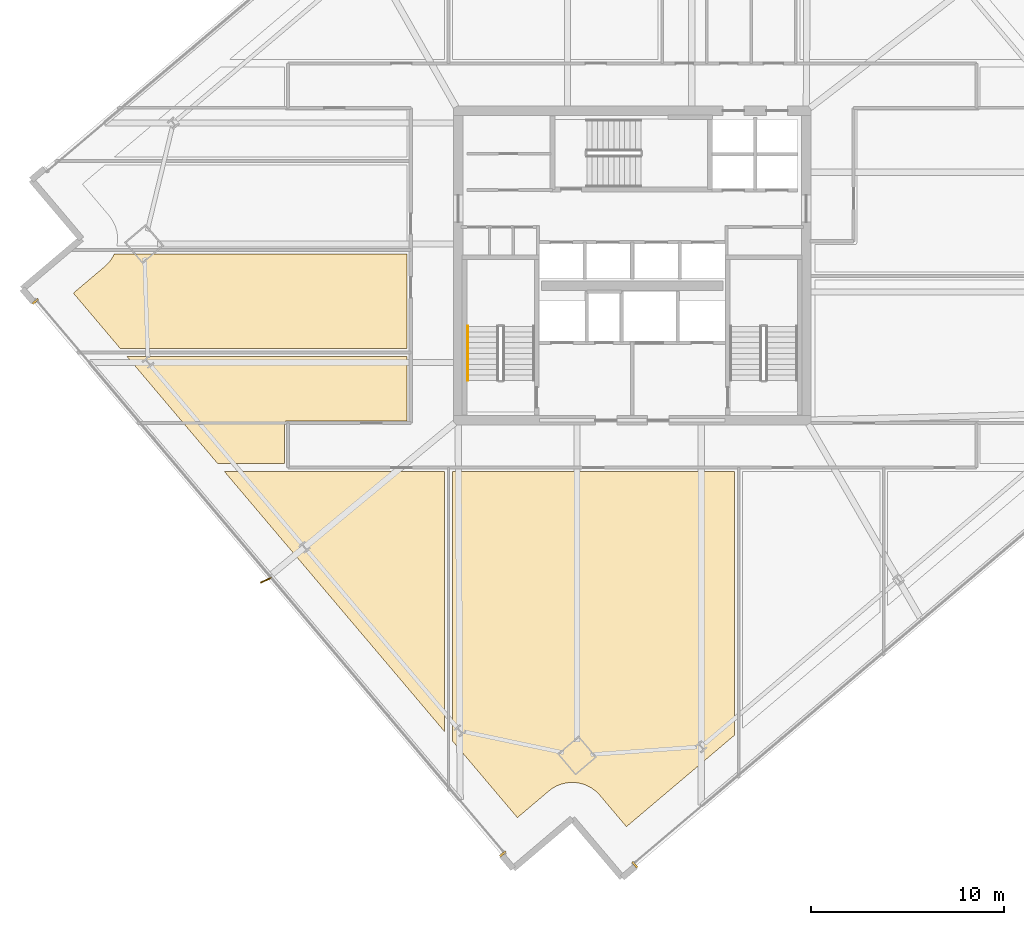
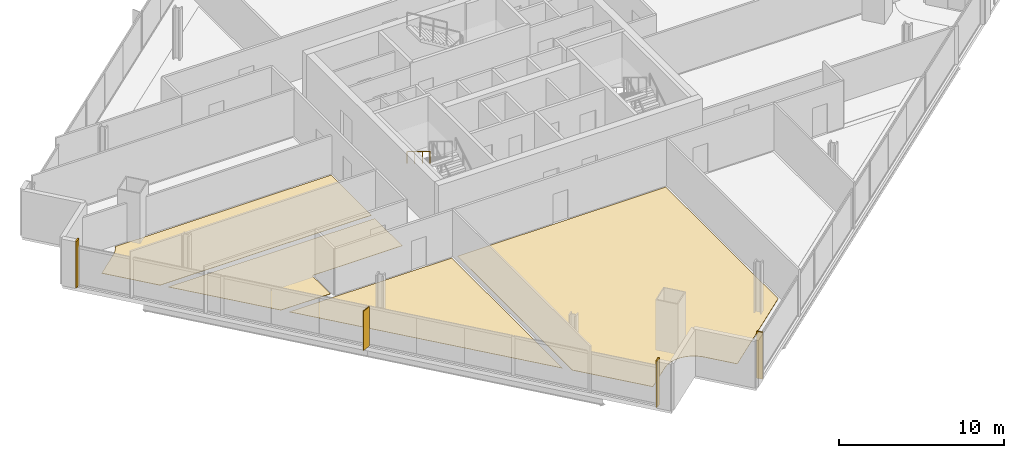
# One storey, part 30 of 34: 7 coverings, 1 railing, 1 shading device.
"""IFC4 building model written with IfcOpenShell, lengths in metres."""

from ifc_helpers import new_model, si_unit, direction, frame, origin, origin_2d, place, context, subcontext, project, spatial, polyline, rectangle, outline, extrude, source, transform, mapped, material, layer, layer_set, type_object, element, save


model = new_model("IFC4")

# Units and contexts
model_context = context("Model", 3, precision=1e-05, world=origin(), true_north=direction((0.0, 1.0)))
body_context = subcontext(model_context, "Body", "Model", "MODEL_VIEW")
ifc_project = project(units=[si_unit("LENGTHUNIT", "METRE"), si_unit("AREAUNIT", "SQUARE_METRE"), si_unit("VOLUMEUNIT", "CUBIC_METRE"), si_unit("PLANEANGLEUNIT", "RADIAN"), si_unit("MASSUNIT", "GRAM", prefix="KILO")], contexts=[model_context])

# Site, building, storey
site_placement = place(None, origin())
site = spatial("IfcSite", under=ifc_project, at=site_placement, CompositionType="ELEMENT")
building_placement = place(site_placement, origin())
building = spatial("IfcBuilding", under=site, at=building_placement, Name="Haldenkirk Collegiate Tower", CompositionType="ELEMENT")
storey_placement = place(building_placement, frame((0.0, 0.0, 163.199951171875)))
storey = spatial("IfcBuildingStorey", under=building, at=storey_placement, Name="L40", CompositionType="ELEMENT", Elevation=163.199951171875)

# Coverings
ifc_material_1 = material(Name="Polished collegiate terrazzo", Category="concrete")
ifc_layer_1 = layer(ifc_material_1, 0.02490234375)
ifc_layer_set_1 = layer_set([ifc_layer_1], Name="Polished collegiate terrazzo")
covering_type_1 = type_object("IfcCoveringType", Name="COV-FLOOR-TERRAZZO", PredefinedType="FLOORING", material=ifc_layer_set_1)
covering_1_placement = place(storey_placement, origin())
element("IfcCovering", 1, at=covering_1_placement, inside=storey, type_object=covering_type_1, Name="L40 academic room finish 02", PredefinedType="FLOORING", context=body_context, shape_type="SweptSolid", body=[
    extrude(outline(polyline([(33.75732421875, -0.943115234375), (33.746826171875, -0.937744140625), (33.590576171875, -0.86669921875), (33.57958984375, -0.8623046875), (33.4169921875, -0.806884765625), (33.40576171875, -0.8037109375), (33.238525390625, -0.7646484375), (33.226806640625, -0.762451171875), (33.056640625, -0.73974609375), (33.044921875, -0.739013671875), (32.873291015625, -0.733154296875), (32.861572265625, -0.7333984375), (32.690185546875, -0.744384765625), (32.678466796875, -0.74560546875), (32.509033203125, -0.7734375), (32.497314453125, -0.77587890625), (32.33154296875, -0.8203125), (32.3203125, -0.82373046875), (32.15966796875, -0.884033203125), (32.148681640625, -0.888671875), (31.99462890625, -0.964599609375), (31.984375, -0.97021484375), (31.83837890625, -1.060791015625), (31.82861328125, -1.0673828125), (31.6923828125, -1.171875), (31.687744140625, -1.175537109375), (30.06201171875, -2.5517578125), (26.699951171875, 1.419677734375), (26.699951171875, 15.35009765625), (41.300048828125, 15.35009765625), (41.300048828125, 1.720947265625), (35.699462890625, -3.020263671875), (34.3232421875, -1.39453125), (34.3193359375, -1.39013671875), (34.2021484375, -1.2646484375), (34.193603515625, -1.256591796875), (34.064697265625, -1.14306640625), (34.055419921875, -1.1357421875), (33.916015625, -1.035400390625), (33.906005859375, -1.029052734375), (33.75732421875, -0.943115234375)])), origin(), (0.0, 0.0, 1.0), 0.025146484375),
])
covering_2_placement = place(storey_placement, origin())
element("IfcCovering", 2, at=covering_2_placement, inside=storey, type_object=covering_type_1, Name="L40 academic room finish 08", PredefinedType="FLOORING", context=body_context, shape_type="SweptSolid", body=[
    extrude(outline(polyline([(8.727783203125, 25.94580078125), (8.732177734375, 25.94970703125), (8.857666015625, 26.067138671875), (8.86572265625, 26.07568359375), (8.979248046875, 26.20458984375), (8.986572265625, 26.2138671875), (9.0869140625, 26.353271484375), (9.09326171875, 26.36328125), (9.17919921875, 26.51171875), (9.1845703125, 26.522216796875), (9.219970703125, 26.60009765625), (24.35009765625, 26.60009765625), (24.35009765625, 21.699951171875), (9.531494140625, 21.699951171875), (7.10205078125, 24.569580078125), (8.727783203125, 25.94580078125)])), origin(), (0.0, 0.0, 1.0), 0.025146484375),
])
ifc_material_2 = material(Name="Engineered collegiate oak acoustic flooring", Category="wood")
ifc_layer_2 = layer(ifc_material_2, 0.02197265625)
ifc_layer_set_2 = layer_set([ifc_layer_2], Name="Engineered collegiate oak acoustic flooring")
covering_type_2 = type_object("IfcCoveringType", Name="COV-FLOOR-TIMBER", PredefinedType="FLOORING", material=ifc_layer_set_2)
covering_3_placement = place(storey_placement, origin())
element("IfcCovering", 3, at=covering_3_placement, inside=storey, type_object=covering_type_2, Name="L40 academic room finish 01", PredefinedType="FLOORING", context=body_context, shape_type="SweptSolid", body=[
    extrude(outline(polyline([(14.906982421875, 15.35009765625), (26.300048828125, 15.35009765625), (26.300048828125, 1.89208984375), (14.906982421875, 15.35009765625)])), origin(), (0.0, 0.0, 1.0), 0.02197265625),
])
covering_4_placement = place(storey_placement, origin())
element("IfcCovering", 4, at=covering_4_placement, inside=storey, type_object=covering_type_2, Name="L40 academic room finish 07", PredefinedType="FLOORING", context=body_context, shape_type="SweptSolid", body=[
    extrude(outline(polyline([(18.14990234375, 17.969970703125), (18.13818359375, 17.969482421875), (18.126708984375, 17.9677734375), (18.115234375, 17.96484375), (18.10400390625, 17.9609375), (18.093505859375, 17.955810546875), (18.083251953125, 17.94970703125), (18.073974609375, 17.94287109375), (18.065185546875, 17.934814453125), (18.05712890625, 17.926025390625), (18.05029296875, 17.916748046875), (18.044189453125, 17.906494140625), (18.0390625, 17.89599609375), (18.03515625, 17.884765625), (18.0322265625, 17.873291015625), (18.030517578125, 17.86181640625), (18.030029296875, 17.85009765625), (18.030029296875, 15.75), (14.568603515625, 15.75), (9.8701171875, 21.300048828125), (24.35009765625, 21.300048828125), (24.35009765625, 17.969970703125), (18.14990234375, 17.969970703125)])), origin(), (0.0, 0.0, 1.0), 0.02197265625),
])

# Railing
ifc_material_3 = material(Name="Painted architectural tubular steel", Category="steel")
railing_type = type_object("IfcRailingType", Name="RLG-STAIR-HANDRAIL-900", PredefinedType="HANDRAIL", material=ifc_material_3)
railing_placement = place(storey_placement, frame((27.5, 22.85009765625, 2.04541015625)))
element("IfcRailing", 5, at=railing_placement, inside=storey, type_object=railing_type, Name="L40 ST-1 stair handrail 2", PredefinedType="HANDRAIL", context=body_context, shape_type="SweptSolid", body=[
    extrude(rectangle(XDim=0.048095703125, YDim=0.048095703125, at=origin_2d()), frame((0.0, 0.0, 0.8759765625), z_axis=(0.0, -0.854169791009, 0.51999420009), x_axis=(1.0, 0.0, 0.0)), (0.0, 0.0, 1.0), 3.278076171875),
    extrude(rectangle(XDim=0.0419921875, YDim=0.0419921875, at=origin_2d()), origin(), (0.0, 0.0, 1.0), 0.851806640625),
    extrude(rectangle(XDim=0.0419921875, YDim=0.0419921875, at=origin_2d()), frame((0.0, -0.933349609375, 0.568115234375)), (0.0, 0.0, 1.0), 0.851806640625),
    extrude(rectangle(XDim=0.0419921875, YDim=0.0419921875, at=origin_2d()), frame((0.0, -1.86669921875, 1.136474609375)), (0.0, 0.0, 1.0), 0.851806640625),
    extrude(rectangle(XDim=0.0419921875, YDim=0.0419921875, at=origin_2d()), frame((0.0, -2.800048828125, 1.70458984375)), (0.0, 0.0, 1.0), 0.851806640625),
])

# Coverings
ifc_material_4 = material(Name="Anodised architectural bronze aluminium", Category="aluminium")
ifc_layer_3 = layer(ifc_material_4, 0.06005859375)
ifc_layer_set_3 = layer_set([ifc_layer_3], Name="Anodised architectural bronze aluminium")
covering_type_3 = type_object("IfcCoveringType", Name="COV-CLAD-BRONZE-60", PredefinedType="CLADDING", material=ifc_layer_set_3)
shared_shape_1 = source(origin(), body_context, "Body", "SweptSolid", [
    extrude(rectangle(XDim=0.10009765625, YDim=0.3798828125, at=origin_2d()), origin(), (0.0, 0.0, 1.0), 3.4599609375),
])
for number, where, z_axis, x_axis, name in (
    (6, (36.132080078125, -4.986083984375, 0.0), (0.0, 0.0, 1.0), (-0.763232469783, -0.646123979643, 0.0), "L40 recessed curtain-wall bronze jamb closure SJR"),
    (7, (29.310791015625, -4.41943359375, 0.0), (0.0, 0.0, 1.0), (-0.646123979643, 0.763232469783, 0.0), "L40 recessed curtain-wall bronze jamb closure WJL"),
    (8, (5.13623046875, 24.13720703125, 0.0), (0.0, 0.0, 1.0), (-0.646123979643, 0.763232469783, 0.0), "L40 recessed curtain-wall bronze jamb closure WJR"),
):
    element("IfcCovering", number, at=place(storey_placement, frame(where, z_axis=z_axis, x_axis=x_axis)), inside=storey, type_object=covering_type_3, Name=name, PredefinedType="CLADDING", context=body_context, shape_type="MappedRepresentation", body=[
        mapped(shared_shape_1, transform((0.0, 0.0, 0.0), x_axis=(1.0, 0.0, 0.0), y_axis=(0.0, 1.0, 0.0), z_axis=(0.0, 0.0, 1.0), scale=1.0)),
    ])

# Shading device
ifc_layer_4 = layer(ifc_material_4, 0.06494140625)
ifc_layer_set_4 = layer_set([ifc_layer_4], Name="Anodised architectural bronze aluminium")
shading_device_type = type_object("IfcShadingDeviceType", Name="SHD-FIN-BRONZE-620", PredefinedType="USERDEFINED", material=ifc_layer_set_4)
shared_shape_2 = source(origin(), body_context, "Body", "SweptSolid", [
    extrude(rectangle(XDim=0.6201171875, YDim=0.06494140625, at=origin_2d()), origin(), (0.0, 0.0, 1.0), 2.910888671875),
])
shading_device_placement = place(storey_placement, frame((17.067138671875, 9.726318359375, 0.0), z_axis=(0.0, 0.0, 1.0), x_axis=(-0.911762043577, -0.410718852613, 0.0)))
element("IfcShadingDevice", 9, at=shading_device_placement, inside=storey, type_object=shading_device_type, Name="L40 folded bronze solar fin 1", ObjectType="FIN", PredefinedType="USERDEFINED", context=body_context, shape_type="MappedRepresentation", body=[
    mapped(shared_shape_2, transform((0.0, 0.0, 0.0), x_axis=(1.0, 0.0, 0.0), y_axis=(0.0, 1.0, 0.0), z_axis=(0.0, 0.0, 1.0), scale=1.0)),
])

save(model, "model.ifc")
